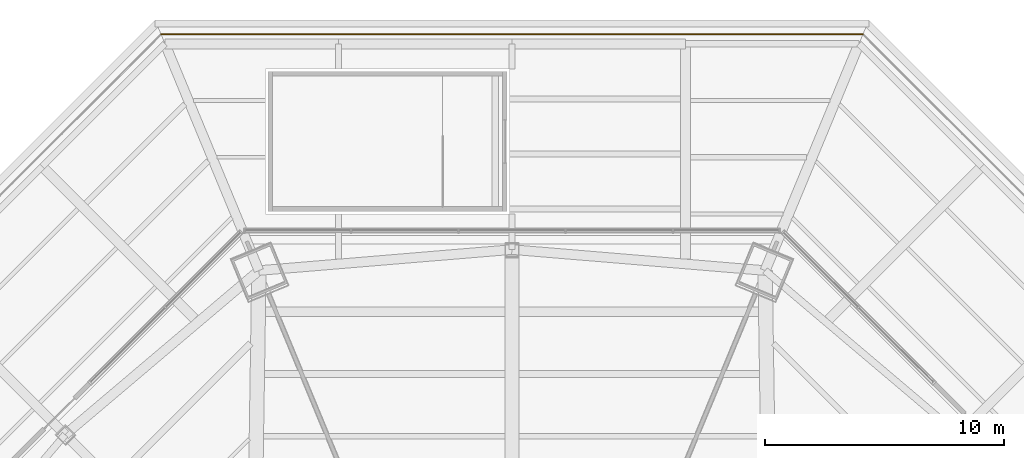
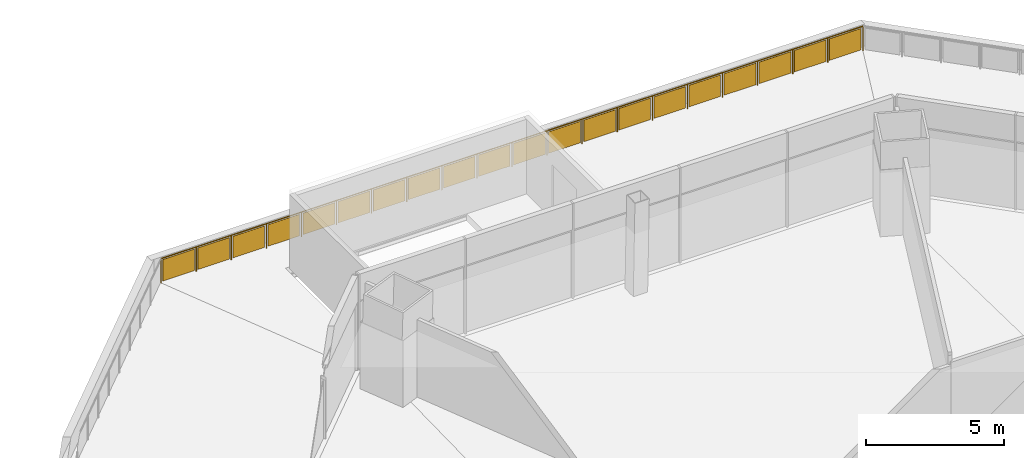
# One storey, part 24 of 25: 1 railing.
"""IFC4 building model written with IfcOpenShell, lengths in metres."""

from ifc_helpers import new_model, si_unit, direction, frame, origin, origin_2d, place, context, subcontext, project, spatial, polyline, circle, outline, extrude, material, type_object, element, save


model = new_model("IFC4")

# Units and contexts
model_context = context("Model", 3, precision=1e-05, world=origin(), true_north=direction((0.0, 1.0)))
body_context = subcontext(model_context, "Body", "Model", "MODEL_VIEW")
ifc_project = project(units=[si_unit("LENGTHUNIT", "METRE"), si_unit("AREAUNIT", "SQUARE_METRE"), si_unit("VOLUMEUNIT", "CUBIC_METRE"), si_unit("PLANEANGLEUNIT", "RADIAN"), si_unit("MASSUNIT", "GRAM", prefix="KILO")], contexts=[model_context])

# Site, building, storey
site_placement = place(None, origin())
site = spatial("IfcSite", under=ifc_project, at=site_placement, CompositionType="ELEMENT")
building_placement = place(site_placement, origin())
building = spatial("IfcBuilding", under=site, at=building_placement, Name="Mashrafa Tower", CompositionType="ELEMENT")
storey_placement = place(building_placement, frame((0.0, 0.0, 28.800048828125)))
storey = spatial("IfcBuildingStorey", under=building, at=storey_placement, Name="L05", CompositionType="ELEMENT", Elevation=28.800048828125)

# Railing
ifc_material = material(Name="Stainless steel guard with glass infill", Category="steel")
railing_type = type_object("IfcRailingType", Name="Roof garden guard 1100 high", PredefinedType="GUARDRAIL", material=ifc_material)
railing_placement = place(storey_placement, frame((14.6630859375, 35.39990234375, 0.0)))
element("IfcRailing", 1, at=railing_placement, inside=storey, type_object=railing_type, Name="Roof garden guard L05 north", PredefinedType="GUARDRAIL", context=body_context, shape_type="SweptSolid", body=[
    extrude(circle(Radius=0.02392578125, at=origin_2d()), frame((0.0, 0.0, 1.076171875), z_axis=(-1.0, 0.0, 0.0), x_axis=(0.0, -1.0, 0.0)), (0.0, 0.0, 1.0), 29.326171875),
    extrude(circle(Radius=0.02099609375, at=origin_2d()), origin(), (0.0, 0.0, 1.0), 1.052001953125),
    extrude(circle(Radius=0.02099609375, at=origin_2d()), frame((-1.46630859375, 0.0, 0.0)), (0.0, 0.0, 1.0), 1.052001953125),
    extrude(circle(Radius=0.02099609375, at=origin_2d()), frame((-2.9326171875, 0.0, 0.0)), (0.0, 0.0, 1.0), 1.052001953125),
    extrude(circle(Radius=0.02099609375, at=origin_2d()), frame((-4.39892578125, 0.0, 0.0)), (0.0, 0.0, 1.0), 1.052001953125),
    extrude(circle(Radius=0.02099609375, at=origin_2d()), frame((-5.865234375, 0.0, 0.0)), (0.0, 0.0, 1.0), 1.052001953125),
    extrude(circle(Radius=0.02099609375, at=origin_2d()), frame((-7.33154296875, 0.0, 0.0)), (0.0, 0.0, 1.0), 1.052001953125),
    extrude(circle(Radius=0.02099609375, at=origin_2d()), frame((-8.7978515625, 0.0, 0.0)), (0.0, 0.0, 1.0), 1.052001953125),
    extrude(circle(Radius=0.02099609375, at=origin_2d()), frame((-10.26416015625, 0.0, 0.0)), (0.0, 0.0, 1.0), 1.052001953125),
    extrude(circle(Radius=0.02099609375, at=origin_2d()), frame((-11.73046875, 0.0, 0.0)), (0.0, 0.0, 1.0), 1.052001953125),
    extrude(circle(Radius=0.02099609375, at=origin_2d()), frame((-13.19677734375, 0.0, 0.0)), (0.0, 0.0, 1.0), 1.052001953125),
    extrude(circle(Radius=0.02099609375, at=origin_2d()), frame((-14.6630859375, 0.0, 0.0)), (0.0, 0.0, 1.0), 1.052001953125),
    extrude(circle(Radius=0.02099609375, at=origin_2d()), frame((-16.12939453125, 0.0, 0.0)), (0.0, 0.0, 1.0), 1.052001953125),
    extrude(circle(Radius=0.02099609375, at=origin_2d()), frame((-17.595703125, 0.0, 0.0)), (0.0, 0.0, 1.0), 1.052001953125),
    extrude(circle(Radius=0.02099609375, at=origin_2d()), frame((-19.06201171875, 0.0, 0.0)), (0.0, 0.0, 1.0), 1.052001953125),
    extrude(circle(Radius=0.02099609375, at=origin_2d()), frame((-20.5283203125, 0.0, 0.0)), (0.0, 0.0, 1.0), 1.052001953125),
    extrude(circle(Radius=0.02099609375, at=origin_2d()), frame((-21.99462890625, 0.0, 0.0)), (0.0, 0.0, 1.0), 1.052001953125),
    extrude(circle(Radius=0.02099609375, at=origin_2d()), frame((-23.4609375, 0.0, 0.0)), (0.0, 0.0, 1.0), 1.052001953125),
    extrude(circle(Radius=0.02099609375, at=origin_2d()), frame((-24.92724609375, 0.0, 0.0)), (0.0, 0.0, 1.0), 1.052001953125),
    extrude(circle(Radius=0.02099609375, at=origin_2d()), frame((-26.3935546875, 0.0, 0.0)), (0.0, 0.0, 1.0), 1.052001953125),
    extrude(circle(Radius=0.02099609375, at=origin_2d()), frame((-27.85986328125, 0.0, 0.0)), (0.0, 0.0, 1.0), 1.052001953125),
    extrude(circle(Radius=0.02099609375, at=origin_2d()), frame((-29.326171875, 0.0, 0.0)), (0.0, 0.0, 1.0), 1.052001953125),
    extrude(outline(polyline([(0.071044921875, 0.050048828125), (1.395263671875, 0.050048828125), (1.395263671875, 1.001953125), (0.071044921875, 1.001953125), (0.071044921875, 0.050048828125)])), frame((0.0, 0.006103515625, 0.0), z_axis=(0.0, 1.0, 0.0), x_axis=(-1.0, 0.0, 0.0)), (0.0, 0.0, 1.0), 0.011962890625),
    extrude(outline(polyline([(1.537353515625, 0.050048828125), (2.861572265625, 0.050048828125), (2.861572265625, 1.001953125), (1.537353515625, 1.001953125), (1.537353515625, 0.050048828125)])), frame((0.0, 0.006103515625, 0.0), z_axis=(0.0, 1.0, 0.0), x_axis=(-1.0, 0.0, 0.0)), (0.0, 0.0, 1.0), 0.011962890625),
    extrude(outline(polyline([(3.003662109375, 0.050048828125), (4.327880859375, 0.050048828125), (4.327880859375, 1.001953125), (3.003662109375, 1.001953125), (3.003662109375, 0.050048828125)])), frame((0.0, 0.006103515625, 0.0), z_axis=(0.0, 1.0, 0.0), x_axis=(-1.0, 0.0, 0.0)), (0.0, 0.0, 1.0), 0.011962890625),
    extrude(outline(polyline([(4.469970703125, 0.050048828125), (5.794189453125, 0.050048828125), (5.794189453125, 1.001953125), (4.469970703125, 1.001953125), (4.469970703125, 0.050048828125)])), frame((0.0, 0.006103515625, 0.0), z_axis=(0.0, 1.0, 0.0), x_axis=(-1.0, 0.0, 0.0)), (0.0, 0.0, 1.0), 0.011962890625),
    extrude(outline(polyline([(5.936279296875, 0.050048828125), (7.260498046875, 0.050048828125), (7.260498046875, 1.001953125), (5.936279296875, 1.001953125), (5.936279296875, 0.050048828125)])), frame((0.0, 0.006103515625, 0.0), z_axis=(0.0, 1.0, 0.0), x_axis=(-1.0, 0.0, 0.0)), (0.0, 0.0, 1.0), 0.011962890625),
    extrude(outline(polyline([(7.402587890625, 0.050048828125), (8.726806640625, 0.050048828125), (8.726806640625, 1.001953125), (7.402587890625, 1.001953125), (7.402587890625, 0.050048828125)])), frame((0.0, 0.006103515625, 0.0), z_axis=(0.0, 1.0, 0.0), x_axis=(-1.0, 0.0, 0.0)), (0.0, 0.0, 1.0), 0.011962890625),
    extrude(outline(polyline([(8.868896484375, 0.050048828125), (10.193115234375, 0.050048828125), (10.193115234375, 1.001953125), (8.868896484375, 1.001953125), (8.868896484375, 0.050048828125)])), frame((0.0, 0.006103515625, 0.0), z_axis=(0.0, 1.0, 0.0), x_axis=(-1.0, 0.0, 0.0)), (0.0, 0.0, 1.0), 0.011962890625),
    extrude(outline(polyline([(10.335205078125, 0.050048828125), (11.659423828125, 0.050048828125), (11.659423828125, 1.001953125), (10.335205078125, 1.001953125), (10.335205078125, 0.050048828125)])), frame((0.0, 0.006103515625, 0.0), z_axis=(0.0, 1.0, 0.0), x_axis=(-1.0, 0.0, 0.0)), (0.0, 0.0, 1.0), 0.011962890625),
    extrude(outline(polyline([(11.801513671875, 0.050048828125), (13.125732421875, 0.050048828125), (13.125732421875, 1.001953125), (11.801513671875, 1.001953125), (11.801513671875, 0.050048828125)])), frame((0.0, 0.006103515625, 0.0), z_axis=(0.0, 1.0, 0.0), x_axis=(-1.0, 0.0, 0.0)), (0.0, 0.0, 1.0), 0.011962890625),
    extrude(outline(polyline([(13.267822265625, 0.050048828125), (14.592041015625, 0.050048828125), (14.592041015625, 1.001953125), (13.267822265625, 1.001953125), (13.267822265625, 0.050048828125)])), frame((0.0, 0.006103515625, 0.0), z_axis=(0.0, 1.0, 0.0), x_axis=(-1.0, 0.0, 0.0)), (0.0, 0.0, 1.0), 0.011962890625),
    extrude(outline(polyline([(14.734130859375, 0.050048828125), (16.058349609375, 0.050048828125), (16.058349609375, 1.001953125), (14.734130859375, 1.001953125), (14.734130859375, 0.050048828125)])), frame((0.0, 0.006103515625, 0.0), z_axis=(0.0, 1.0, 0.0), x_axis=(-1.0, 0.0, 0.0)), (0.0, 0.0, 1.0), 0.011962890625),
    extrude(outline(polyline([(16.200439453125, 0.050048828125), (17.524658203125, 0.050048828125), (17.524658203125, 1.001953125), (16.200439453125, 1.001953125), (16.200439453125, 0.050048828125)])), frame((0.0, 0.006103515625, 0.0), z_axis=(0.0, 1.0, 0.0), x_axis=(-1.0, 0.0, 0.0)), (0.0, 0.0, 1.0), 0.011962890625),
    extrude(outline(polyline([(17.666748046875, 0.050048828125), (18.990966796875, 0.050048828125), (18.990966796875, 1.001953125), (17.666748046875, 1.001953125), (17.666748046875, 0.050048828125)])), frame((0.0, 0.006103515625, 0.0), z_axis=(0.0, 1.0, 0.0), x_axis=(-1.0, 0.0, 0.0)), (0.0, 0.0, 1.0), 0.011962890625),
    extrude(outline(polyline([(19.133056640625, 0.050048828125), (20.457275390625, 0.050048828125), (20.457275390625, 1.001953125), (19.133056640625, 1.001953125), (19.133056640625, 0.050048828125)])), frame((0.0, 0.006103515625, 0.0), z_axis=(0.0, 1.0, 0.0), x_axis=(-1.0, 0.0, 0.0)), (0.0, 0.0, 1.0), 0.011962890625),
    extrude(outline(polyline([(20.599365234375, 0.050048828125), (21.923583984375, 0.050048828125), (21.923583984375, 1.001953125), (20.599365234375, 1.001953125), (20.599365234375, 0.050048828125)])), frame((0.0, 0.006103515625, 0.0), z_axis=(0.0, 1.0, 0.0), x_axis=(-1.0, 0.0, 0.0)), (0.0, 0.0, 1.0), 0.011962890625),
    extrude(outline(polyline([(22.065673828125, 0.050048828125), (23.389892578125, 0.050048828125), (23.389892578125, 1.001953125), (22.065673828125, 1.001953125), (22.065673828125, 0.050048828125)])), frame((0.0, 0.006103515625, 0.0), z_axis=(0.0, 1.0, 0.0), x_axis=(-1.0, 0.0, 0.0)), (0.0, 0.0, 1.0), 0.011962890625),
    extrude(outline(polyline([(23.531982421875, 0.050048828125), (24.856201171875, 0.050048828125), (24.856201171875, 1.001953125), (23.531982421875, 1.001953125), (23.531982421875, 0.050048828125)])), frame((0.0, 0.006103515625, 0.0), z_axis=(0.0, 1.0, 0.0), x_axis=(-1.0, 0.0, 0.0)), (0.0, 0.0, 1.0), 0.011962890625),
    extrude(outline(polyline([(24.998291015625, 0.050048828125), (26.322509765625, 0.050048828125), (26.322509765625, 1.001953125), (24.998291015625, 1.001953125), (24.998291015625, 0.050048828125)])), frame((0.0, 0.006103515625, 0.0), z_axis=(0.0, 1.0, 0.0), x_axis=(-1.0, 0.0, 0.0)), (0.0, 0.0, 1.0), 0.011962890625),
    extrude(outline(polyline([(26.464599609375, 0.050048828125), (27.788818359375, 0.050048828125), (27.788818359375, 1.001953125), (26.464599609375, 1.001953125), (26.464599609375, 0.050048828125)])), frame((0.0, 0.006103515625, 0.0), z_axis=(0.0, 1.0, 0.0), x_axis=(-1.0, 0.0, 0.0)), (0.0, 0.0, 1.0), 0.011962890625),
    extrude(outline(polyline([(27.930908203125, 0.050048828125), (29.255126953125, 0.050048828125), (29.255126953125, 1.001953125), (27.930908203125, 1.001953125), (27.930908203125, 0.050048828125)])), frame((0.0, 0.006103515625, 0.0), z_axis=(0.0, 1.0, 0.0), x_axis=(-1.0, 0.0, 0.0)), (0.0, 0.0, 1.0), 0.011962890625),
])

save(model, "model.ifc")
